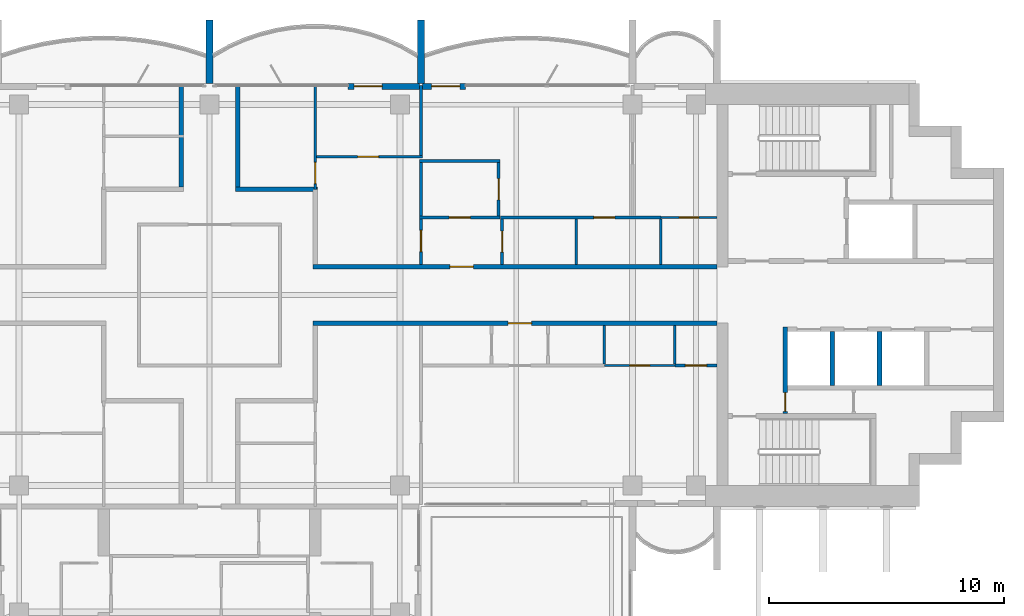
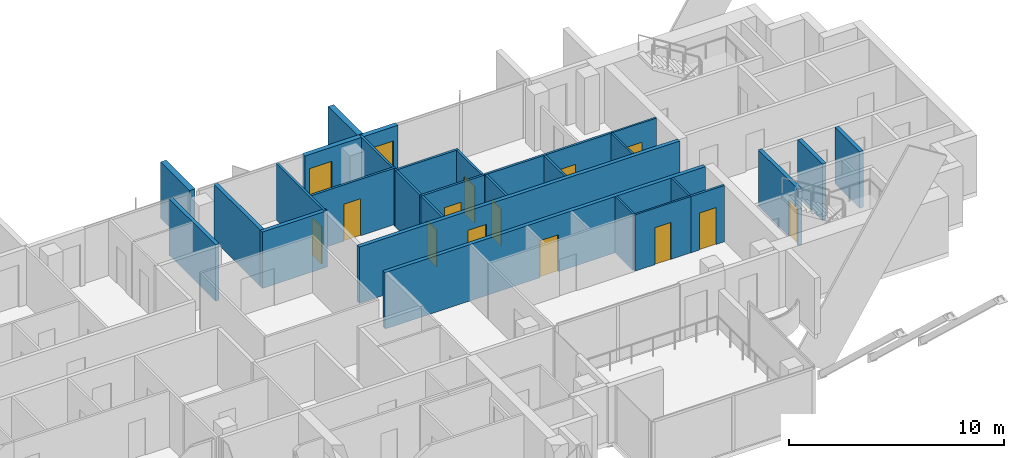
# One storey, part 12 of 18: 28 walls, 15 doors, 15 openings.
"""IFC4 building model written with IfcOpenShell, lengths in metres."""

import ifcopenshell
import ifcopenshell.guid

model = None  # the IFC model being written
_history = None  # IfcOwnerHistory: only IFC2X3 demands one
_inside = {}  # id of a spatial element -> (the spatial element, [elements in it])
_under = {}  # id of a project, library or spatial element -> (it, [spatial elements below it])
_declared = {}  # id of a project -> (the project, [libraries it declares])
_typed = {}  # id of a type object -> (the type object, [elements of that type])
_made_of = {}  # id of a material, layer set ... -> (it, [elements and type objects made of it])


def new_model(schema):
    """Start an empty IFC model of exactly this schema.

    Asked for "IFC4X3", IfcOpenShell would pick the latest addendum, in which some entities
    have other attributes; the version numbers below select the first issue.
    IFC2X3 requires an IfcOwnerHistory on every rooted entity: one is made here for all.
    """
    global model, _history
    if schema == "IFC4X3":
        model = ifcopenshell.file(schema_version=(4, 3, 0, 0))
    else:
        model = ifcopenshell.file(schema=schema)
    _inside.clear()
    _under.clear()
    _declared.clear()
    _typed.clear()
    _made_of.clear()
    _history = None
    if model.schema == "IFC2X3":
        org = make("IfcOrganization", Name="unknown")
        user = make(
            "IfcPersonAndOrganization",
            ThePerson=make("IfcPerson", FamilyName="unknown"),
            TheOrganization=org,
        )
        app = make(
            "IfcApplication",
            ApplicationDeveloper=org,
            Version="unknown",
            ApplicationFullName="unknown",
            ApplicationIdentifier="unknown",
        )
        _history = make(
            "IfcOwnerHistory",
            OwningUser=user,
            OwningApplication=app,
            ChangeAction="ADDED",
            CreationDate=0,
        )
    return model


def make(cls, **values):
    """One entity of the class cls with the attributes given. An attribute that is None is left unset."""
    return model.create_entity(
        cls, **{name: value for name, value in values.items() if value is not None}
    )


def rooted(cls, **values):
    """An entity with a GlobalId (a new one), such as an element, a storey or a relation."""
    return make(cls, GlobalId=ifcopenshell.guid.new(), OwnerHistory=_history, **values)


def si_unit(unit_type, name, prefix=None):
    """IfcSIUnit, for example si_unit("LENGTHUNIT", "METRE", prefix="MILLI")."""
    return make("IfcSIUnit", UnitType=unit_type, Prefix=prefix, Name=name)


def assignment(units):
    """IfcUnitAssignment: the units of a project."""
    return None if units is None else make("IfcUnitAssignment", Units=units)


def point(xyz):
    """IfcCartesianPoint."""
    return None if xyz is None else make("IfcCartesianPoint", Coordinates=xyz)


def direction(xyz):
    """IfcDirection."""
    return None if xyz is None else make("IfcDirection", DirectionRatios=xyz)


def frame(location, z_axis=None, x_axis=None):
    """IfcAxis2Placement3D, a coordinate frame: its origin and axes. An axis left out is left unset."""
    return make(
        "IfcAxis2Placement3D",
        Location=point(location),
        Axis=direction(z_axis),
        RefDirection=direction(x_axis),
    )


def frame_2d(location, x_axis=None):
    """IfcAxis2Placement2D, a coordinate frame in the plane: its origin and x axis."""
    return make(
        "IfcAxis2Placement2D", Location=point(location), RefDirection=direction(x_axis)
    )


def origin():
    """The frame at (0, 0, 0) with its axes left unset."""
    return frame((0.0, 0.0, 0.0))


def place(relative_to, where):
    """IfcLocalPlacement: puts the frame where relative to a parent placement (None: the world)."""
    return make(
        "IfcLocalPlacement", PlacementRelTo=relative_to, RelativePlacement=where
    )


def context(
    kind, dimensions, precision=None, world=None, true_north=None, identifier=None
):
    """IfcGeometricRepresentationContext, for example the 3D "Model" context."""
    return make(
        "IfcGeometricRepresentationContext",
        ContextIdentifier=identifier,
        ContextType=kind,
        CoordinateSpaceDimension=dimensions,
        Precision=precision,
        WorldCoordinateSystem=world,
        TrueNorth=true_north,
    )


def subcontext(parent, identifier, kind, view, scale=None):
    """IfcGeometricRepresentationSubContext, for example "Body" below "Model"."""
    return make(
        "IfcGeometricRepresentationSubContext",
        ContextIdentifier=identifier,
        ContextType=kind,
        ParentContext=parent,
        TargetScale=scale,
        TargetView=view,
    )


def project(units=None, contexts=None):
    """IfcProject with its units and contexts."""
    return rooted(
        "IfcProject",
        Name="project",
        RepresentationContexts=contexts,
        UnitsInContext=assignment(units),
    )


def spatial(cls, under=None, at=None, **own):
    """A site, building, storey or space (cls), placed at a placement, below another one or the project."""
    s = rooted(cls, ObjectPlacement=at, **own)
    if under is not None:
        _under.setdefault(under.id(), (under, []))[1].append(s)
    return s


def profile(cls, at=None, kind="AREA", **sizes):
    """A parametric profile (cls). Its sizes go by their IFC names, for example OverallWidth=200.0."""
    return make(cls, ProfileType=kind, Position=at, **sizes)


def rectangle(**sizes):
    """IfcRectangleProfileDef."""
    return profile("IfcRectangleProfileDef", **sizes)


def extrude(swept, where, along, depth):
    """IfcExtrudedAreaSolid: the profile swept, set in the frame where, extruded along a direction by depth."""
    return make(
        "IfcExtrudedAreaSolid",
        SweptArea=swept,
        Position=where,
        ExtrudedDirection=direction(along),
        Depth=depth,
    )


def shape(context_of_items, identifier, shape_type, items):
    """IfcShapeRepresentation: the items that make up one representation, for example the "Body"."""
    return make(
        "IfcShapeRepresentation",
        ContextOfItems=context_of_items,
        RepresentationIdentifier=identifier,
        RepresentationType=shape_type,
        Items=items,
    )


def material(Name=None, Category=None):
    """IfcMaterial."""
    return make("IfcMaterial", Name=Name, Category=Category)


def layer(
    of_material, thickness, ventilated=None, Name=None, Category=None, Priority=None
):
    """IfcMaterialLayer: one layer of a wall or slab, of a material (None: an air gap)."""
    return make(
        "IfcMaterialLayer",
        Material=of_material,
        LayerThickness=thickness,
        IsVentilated=ventilated,
        Name=Name,
        Category=Category,
        Priority=Priority,
    )


def layer_set(layers, Name=None):
    """IfcMaterialLayerSet."""
    return make("IfcMaterialLayerSet", MaterialLayers=layers, LayerSetName=Name)


def made_of(thing, what):
    """Note that an element or type object is made of a material, layer set ...; save() writes the relation."""
    if what is not None:
        _made_of.setdefault(what.id(), (what, []))[1].append(thing)
    return thing


def type_object(cls, material=None, **own):
    """A type object (cls), such as IfcWallType, which elements share."""
    return made_of(rooted(cls, **own), material)


def element(
    cls,
    number,
    at=None,
    inside=None,
    cuts=None,
    type_object=None,
    material=None,
    context=None,
    identifier="Body",
    shape_type=None,
    held_by="IfcProductDefinitionShape",
    body=None,
    shapes=None,
    **own,
):
    """One element of the class cls, such as IfcWall. Its Tag is "e" and its number.

    at: its placement. inside: the storey or other place that contains it. cuts: it is an
    opening in that element (IfcRelVoidsElement). A single representation is given by context,
    identifier, shape_type and body (its items); several are given by shapes. held_by: the class
    of the entity that holds the representations. save() writes the other relations.
    """
    e = rooted(cls, Tag="e%d" % number, ObjectPlacement=at, **own)
    if body is not None:
        shapes = [shape(context, identifier, shape_type, body)]
    if shapes is not None:
        e.Representation = make(held_by, Representations=shapes)
    if inside is not None:
        _inside.setdefault(inside.id(), (inside, []))[1].append(e)
    if cuts is not None:
        rooted(
            "IfcRelVoidsElement", RelatingBuildingElement=cuts, RelatedOpeningElement=e
        )
    if type_object is not None:
        _typed.setdefault(type_object.id(), (type_object, []))[1].append(e)
    return made_of(e, material)


def fill(opening, filler):
    """IfcRelFillsElement: the door or window that sits in an opening."""
    return rooted(
        "IfcRelFillsElement",
        RelatingOpeningElement=opening,
        RelatedBuildingElement=filler,
    )


def aggregate(whole, parts):
    """IfcRelAggregates: a whole, such as a stair, and the parts it consists of."""
    return rooted("IfcRelAggregates", RelatingObject=whole, RelatedObjects=parts)


def save(model, path):
    """Write the relations noted so far, then the file.

    IfcRelAggregates (storeys below a building ...), IfcRelContainedInSpatialStructure (elements
    in a storey), IfcRelDefinesByType, IfcRelAssociatesMaterial and IfcRelDeclares: one each for
    every whole, place, type object, material and project.
    """
    for whole, parts in _under.values():
        aggregate(whole, parts)
    for where, things in _inside.values():
        rooted(
            "IfcRelContainedInSpatialStructure",
            RelatedElements=things,
            RelatingStructure=where,
        )
    for kind, things in _typed.values():
        rooted("IfcRelDefinesByType", RelatedObjects=things, RelatingType=kind)
    for what, things in _made_of.values():
        rooted("IfcRelAssociatesMaterial", RelatedObjects=things, RelatingMaterial=what)
    for by, libraries in _declared.values():
        rooted("IfcRelDeclares", RelatingContext=by, RelatedDefinitions=libraries)
    model.write(path)


model = new_model("IFC4")

# Units and contexts
model_context = context("Model", 3, precision=1e-05, world=origin(), true_north=direction((0.0, 1.0)))
body_context = subcontext(model_context, "Body", "Model", "MODEL_VIEW")
ifc_project = project(units=[si_unit("LENGTHUNIT", "METRE"), si_unit("AREAUNIT", "SQUARE_METRE"), si_unit("VOLUMEUNIT", "CUBIC_METRE"), si_unit("PLANEANGLEUNIT", "RADIAN"), si_unit("MASSUNIT", "GRAM", prefix="KILO")], contexts=[model_context])

# Site, building, storey
site_placement = place(None, origin())
site = spatial("IfcSite", under=ifc_project, at=site_placement, CompositionType="ELEMENT")
building_placement = place(site_placement, origin())
building = spatial("IfcBuilding", under=site, at=building_placement, Name="Perihelion Cross Residences", CompositionType="ELEMENT")
storey_placement = place(building_placement, frame((0.0, 0.0, 281.5)))
storey = spatial("IfcBuildingStorey", under=building, at=storey_placement, Name="L72", CompositionType="ELEMENT", Elevation=281.5)

# Wall, opening, door
ifc_material_1 = material(Name="Plasterboard partition")
ifc_layer_1 = layer(ifc_material_1, 0.199951171875)
ifc_layer_set_1 = layer_set([ifc_layer_1], Name="Apartment separation wall 200")
wall_type_1 = type_object("IfcWallType", Name="Apartment separation wall 200", PredefinedType="PARTITIONING", material=ifc_layer_set_1)
wall_1_placement = place(storey_placement, frame((4.39990234375, 1.199951171875, 0.0), z_axis=(0.0, 0.0, 1.0), x_axis=(1.0, 0.0, 0.0)))
wall_1 = element("IfcWall", 1, at=wall_1_placement, inside=storey, type_object=wall_type_1, Name="Partition L72 W005", PredefinedType="PARTITIONING", context=body_context, shape_type="SweptSolid", body=[
    extrude(rectangle(XDim=17.2001953125, YDim=0.199951171875, at=frame_2d((8.60009765625, 0.0))), origin(), (0.0, 0.0, 1.0), 3.199951171875),
])
opening_1_placement = place(wall_1_placement, frame((5.824951171875, 0.0, 0.0)))
opening_1 = element("IfcOpeningElement", 2, at=opening_1_placement, cuts=wall_1, Name="Opening L72.A42", PredefinedType="OPENING", context=body_context, shape_type="SweptSolid", body=[
    extrude(rectangle(XDim=1.0, YDim=2.10009765625, at=frame_2d((0.5, 1.050048828125))), frame((0.0, 0.10986328125, 0.0), z_axis=(0.0, -1.0, 0.0), x_axis=(1.0, 0.0, 0.0)), (0.0, 0.0, 1.0), 0.219970703125),
])
ifc_material_2 = material(Name="Timber door leaf", Category="wood")
door_type_1 = type_object("IfcDoorType", Name="Flat entrance door 1000 x 2100", OperationType="SINGLE_SWING_LEFT", PredefinedType="DOOR", material=ifc_material_2)
door_1_placement = place(opening_1_placement, origin())
door_1 = element("IfcDoor", 3, at=door_1_placement, inside=storey, type_object=door_type_1, Name="Door L72.A42", OperationType="SINGLE_SWING_LEFT", OverallHeight=2.10009765625, OverallWidth=1.0, PredefinedType="DOOR", context=body_context, shape_type="SweptSolid", body=[
    extrude(rectangle(XDim=1.0, YDim=2.10009765625, at=frame_2d((0.5, 1.050048828125))), frame((0.0, 0.02490234375, 0.0), z_axis=(0.0, -1.0, 0.0), x_axis=(1.0, 0.0, 0.0)), (0.0, 0.0, 1.0), 0.050048828125),
])
fill(opening_1, door_1)

# Walls
wall_2_placement = place(storey_placement, frame((1.199951171875, 8.919921875, 0.0), z_axis=(0.0, 0.0, 1.0), x_axis=(0.0, -1.0, 0.0)))
element("IfcWall", 4, at=wall_2_placement, inside=storey, type_object=wall_type_1, Name="Partition L72 W007", PredefinedType="PARTITIONING", context=body_context, shape_type="SweptSolid", body=[
    extrude(rectangle(XDim=4.31982421875, YDim=0.199951171875, at=frame_2d((2.159912109375, 0.0))), origin(), (0.0, 0.0, 1.0), 3.199951171875),
])
wall_3_placement = place(storey_placement, frame((1.10009765625, 4.5, 0.0), z_axis=(0.0, 0.0, 1.0), x_axis=(1.0, 0.0, 0.0)))
element("IfcWall", 5, at=wall_3_placement, inside=storey, type_object=wall_type_1, Name="Partition L72 W008", PredefinedType="PARTITIONING", context=body_context, shape_type="SweptSolid", body=[
    extrude(rectangle(XDim=3.5, YDim=0.199951171875, at=frame_2d((1.75, 0.0))), origin(), (0.0, 0.0, 1.0), 3.199951171875),
])

# Wall, opening, door
wall_4_placement = place(storey_placement, frame((21.60009765625, -1.199951171875, 0.0), z_axis=(0.0, 0.0, 1.0), x_axis=(-1.0, 0.0, 0.0)))
wall_4 = element("IfcWall", 6, at=wall_4_placement, inside=storey, type_object=wall_type_1, Name="Partition L72 W009", PredefinedType="PARTITIONING", context=body_context, shape_type="SweptSolid", body=[
    extrude(rectangle(XDim=17.2001953125, YDim=0.199951171875, at=frame_2d((8.60009765625, 0.0))), origin(), (0.0, 0.0, 1.0), 3.199951171875),
])
opening_2_placement = place(wall_4_placement, frame((7.89990234375, 0.0, 0.0)))
opening_2 = element("IfcOpeningElement", 7, at=opening_2_placement, cuts=wall_4, Name="Opening L72.A43", PredefinedType="OPENING", context=body_context, shape_type="SweptSolid", body=[
    extrude(rectangle(XDim=1.0, YDim=2.10009765625, at=frame_2d((0.5, 1.050048828125))), frame((0.0, 0.10986328125, 0.0), z_axis=(0.0, -1.0, 0.0), x_axis=(1.0, 0.0, 0.0)), (0.0, 0.0, 1.0), 0.219970703125),
])
door_2_placement = place(opening_2_placement, origin())
door_2 = element("IfcDoor", 8, at=door_2_placement, inside=storey, type_object=door_type_1, Name="Door L72.A43", OperationType="SINGLE_SWING_LEFT", OverallHeight=2.10009765625, OverallWidth=1.0, PredefinedType="DOOR", context=body_context, shape_type="SweptSolid", body=[
    extrude(rectangle(XDim=1.0, YDim=2.10009765625, at=frame_2d((0.5, 1.050048828125))), frame((0.0, 0.02490234375, 0.0), z_axis=(0.0, -1.0, 0.0), x_axis=(1.0, 0.0, 0.0)), (0.0, 0.0, 1.0), 0.050048828125),
])
fill(opening_2, door_2)

# Wall
wall_5_placement = place(storey_placement, frame((-1.199951171875, 4.60009765625, 0.0), z_axis=(0.0, 0.0, 1.0), x_axis=(0.0, 1.0, 0.0)))
element("IfcWall", 9, at=wall_5_placement, inside=storey, type_object=wall_type_1, Name="Partition L72 W016", PredefinedType="PARTITIONING", context=body_context, shape_type="SweptSolid", body=[
    extrude(rectangle(XDim=4.31982421875, YDim=0.199951171875, at=frame_2d((2.159912109375, 0.0))), origin(), (0.0, 0.0, 1.0), 3.199951171875),
])

# Wall, opening, door
ifc_material_3 = material(Name="Concrete C30/37, bronze-clad", Category="concrete")
ifc_layer_2 = layer(ifc_material_3, 0.25)
ifc_layer_set_2 = layer_set([ifc_layer_2], Name="Bronze-clad pier wall 250")
wall_type_2 = type_object("IfcWallType", Name="Bronze-clad pier wall 250", PredefinedType="SOLIDWALL", material=ifc_layer_set_2)
wall_6_placement = place(storey_placement, frame((10.89990234375, 8.875, 0.0), z_axis=(0.0, 0.0, 1.0), x_axis=(-1.0, 0.0, 0.0)))
wall_6 = element("IfcWall", 10, at=wall_6_placement, inside=storey, type_object=wall_type_2, Name="Wall FW1 L72 east side north bay 2 pier", PredefinedType="SOLIDWALL", context=body_context, shape_type="SweptSolid", body=[
    extrude(rectangle(XDim=1.83984375, YDim=0.25, at=frame_2d((0.919921875, 0.0))), origin(), (0.0, 0.0, 1.0), 3.199951171875),
])
opening_3_placement = place(wall_6_placement, frame((0.25, 0.0, 0.0)))
opening_3 = element("IfcOpeningElement", 11, at=opening_3_placement, cuts=wall_6, Name="Opening L72.E02", PredefinedType="OPENING", context=body_context, shape_type="SweptSolid", body=[
    extrude(rectangle(XDim=1.199951171875, YDim=2.39990234375, at=frame_2d((0.60009765625, 1.199951171875))), frame((0.0, 0.135009765625, 0.0), z_axis=(0.0, -1.0, 0.0), x_axis=(1.0, 0.0, 0.0)), (0.0, 0.0, 1.0), 0.27001953125),
])
ifc_material_4 = material(Name="Bronze anodised aluminium, glazed", Category="aluminium")
door_type_2 = type_object("IfcDoorType", Name="Balcony door 1200 x 2400", OperationType="NOTDEFINED", PredefinedType="DOOR", material=ifc_material_4)
door_3_placement = place(opening_3_placement, origin())
door_3 = element("IfcDoor", 12, at=door_3_placement, inside=storey, type_object=door_type_2, Name="Door L72.E02 east side north bay 2", OperationType="SINGLE_SWING_RIGHT", OverallHeight=2.39990234375, OverallWidth=1.199951171875, PredefinedType="DOOR", context=body_context, shape_type="SweptSolid", body=[
    extrude(rectangle(XDim=1.199951171875, YDim=2.39990234375, at=frame_2d((0.60009765625, 1.199951171875))), frame((0.0, 0.02490234375, 0.0), z_axis=(0.0, -1.0, 0.0), x_axis=(1.0, 0.0, 0.0)), (0.0, 0.0, 1.0), 0.050048828125),
])
fill(opening_3, door_3)

wall_7_placement = place(storey_placement, frame((8.93994140625, 8.875, 0.0), z_axis=(0.0, 0.0, 1.0), x_axis=(-1.0, 0.0, 0.0)))
wall_7 = element("IfcWall", 13, at=wall_7_placement, inside=storey, type_object=wall_type_2, Name="Wall FW1 L72 north side east bay 1 pier", PredefinedType="SOLIDWALL", context=body_context, shape_type="SweptSolid", body=[
    extrude(rectangle(XDim=3.0400390625, YDim=0.25, at=frame_2d((1.52001953125, 0.0))), origin(), (0.0, 0.0, 1.0), 3.199951171875),
])
opening_4_placement = place(wall_7_placement, frame((1.590087890625, 0.0, 0.0)))
opening_4 = element("IfcOpeningElement", 14, at=opening_4_placement, cuts=wall_7, Name="Opening L72.E03", PredefinedType="OPENING", context=body_context, shape_type="SweptSolid", body=[
    extrude(rectangle(XDim=1.199951171875, YDim=2.39990234375, at=frame_2d((0.60009765625, 1.199951171875))), frame((0.0, 0.135009765625, 0.0), z_axis=(0.0, -1.0, 0.0), x_axis=(1.0, 0.0, 0.0)), (0.0, 0.0, 1.0), 0.27001953125),
])
door_4_placement = place(opening_4_placement, origin())
door_4 = element("IfcDoor", 15, at=door_4_placement, inside=storey, type_object=door_type_2, Name="Door L72.E03 north side east bay 1", OperationType="SINGLE_SWING_LEFT", OverallHeight=2.39990234375, OverallWidth=1.199951171875, PredefinedType="DOOR", context=body_context, shape_type="SweptSolid", body=[
    extrude(rectangle(XDim=1.199951171875, YDim=2.39990234375, at=frame_2d((0.60009765625, 1.199951171875))), frame((0.0, 0.02490234375, 0.0), z_axis=(0.0, -1.0, 0.0), x_axis=(1.0, 0.0, 0.0)), (0.0, 0.0, 1.0), 0.050048828125),
])
fill(opening_4, door_4)

ifc_material_5 = material(Name="Concrete C50/60", Category="concrete")
ifc_layer_3 = layer(ifc_material_5, 0.199951171875)
ifc_layer_set_3 = layer_set([ifc_layer_3], Name="Lobby wall 200")
wall_type_3 = type_object("IfcWallType", Name="Lobby wall 200", PredefinedType="SOLIDWALL", material=ifc_layer_set_3)
wall_8_placement = place(storey_placement, frame((24.5, -5.050048828125, 0.0), z_axis=(0.0, 0.0, 1.0), x_axis=(0.0, 1.0, 0.0)))
wall_8 = element("IfcWall", 16, at=wall_8_placement, inside=storey, type_object=wall_type_3, Name="East core lobby wall", PredefinedType="SOLIDWALL", context=body_context, shape_type="SweptSolid", body=[
    extrude(rectangle(XDim=3.699951171875, YDim=0.199951171875, at=frame_2d((1.85009765625, 0.0))), origin(), (0.0, 0.0, 1.0), 3.199951171875),
])
opening_5_placement = place(wall_8_placement, frame((0.10009765625, 0.0, 0.0)))
opening_5 = element("IfcOpeningElement", 17, at=opening_5_placement, cuts=wall_8, Name="Opening L72.C08", PredefinedType="OPENING", context=body_context, shape_type="SweptSolid", body=[
    extrude(rectangle(XDim=0.800048828125, YDim=2.10009765625, at=frame_2d((0.39990234375, 1.050048828125))), frame((0.0, 0.10986328125, 0.0), z_axis=(0.0, -1.0, 0.0), x_axis=(1.0, 0.0, 0.0)), (0.0, 0.0, 1.0), 0.219970703125),
])
ifc_material_6 = material(Name="Steel, powder coated", Category="steel")
door_type_3 = type_object("IfcDoorType", Name="Riser door 800", OperationType="SINGLE_SWING_LEFT", PredefinedType="DOOR", material=ifc_material_6)
door_5_placement = place(opening_5_placement, origin())
door_5 = element("IfcDoor", 18, at=door_5_placement, inside=storey, type_object=door_type_3, Name="East core riser door", OperationType="SINGLE_SWING_LEFT", OverallHeight=2.10009765625, OverallWidth=0.800048828125, PredefinedType="DOOR", context=body_context, shape_type="SweptSolid", body=[
    extrude(rectangle(XDim=0.800048828125, YDim=2.10009765625, at=frame_2d((0.39990234375, 1.050048828125))), frame((0.0, 0.02490234375, 0.0), z_axis=(0.0, -1.0, 0.0), x_axis=(1.0, 0.0, 0.0)), (0.0, 0.0, 1.0), 0.050048828125),
])
fill(opening_5, door_5)

ifc_material_7 = material(Name="Plasterboard partition")
ifc_layer_4 = layer(ifc_material_7, 0.1201171875)
ifc_layer_set_4 = layer_set([ifc_layer_4], Name="Partition wall 120")
wall_type_4 = type_object("IfcWallType", Name="Partition wall 120", PredefinedType="PARTITIONING", material=ifc_layer_set_4)
wall_9_placement = place(storey_placement, frame((12.449951171875, 3.239990234375, 0.0), z_axis=(0.0, 0.0, 1.0), x_axis=(0.0, -1.0, 0.0)))
wall_9 = element("IfcWall", 19, at=wall_9_placement, inside=storey, type_object=wall_type_4, Name="Partition L72 W022", PredefinedType="PARTITIONING", context=body_context, shape_type="SweptSolid", body=[
    extrude(rectangle(XDim=1.93994140625, YDim=0.1201171875, at=frame_2d((0.969970703125, 0.0))), origin(), (0.0, 0.0, 1.0), 3.199951171875),
])
opening_6_placement = place(wall_9_placement, frame((0.52001953125, 0.0, 0.0)))
opening_6 = element("IfcOpeningElement", 20, at=opening_6_placement, cuts=wall_9, Name="Opening L72.A09", PredefinedType="OPENING", context=body_context, shape_type="SweptSolid", body=[
    extrude(rectangle(XDim=0.89990234375, YDim=2.10009765625, at=frame_2d((0.449951171875, 1.050048828125))), frame((0.0, 0.070068359375, 0.0), z_axis=(0.0, -1.0, 0.0), x_axis=(1.0, 0.0, 0.0)), (0.0, 0.0, 1.0), 0.14013671875),
])
ifc_material_8 = material(Name="Timber door leaf", Category="wood")
door_type_4 = type_object("IfcDoorType", Name="Interior room door 900 x 2100", OperationType="SINGLE_SWING_LEFT", PredefinedType="DOOR", material=ifc_material_8)
door_6_placement = place(opening_6_placement, origin())
door_6 = element("IfcDoor", 21, at=door_6_placement, inside=storey, type_object=door_type_4, Name="Door L72.A09", OperationType="SINGLE_SWING_RIGHT", OverallHeight=2.10009765625, OverallWidth=0.89990234375, PredefinedType="DOOR", context=body_context, shape_type="SweptSolid", body=[
    extrude(rectangle(XDim=0.89990234375, YDim=2.10009765625, at=frame_2d((0.449951171875, 1.050048828125))), frame((0.0, 0.02490234375, 0.0), z_axis=(0.0, -1.0, 0.0), x_axis=(1.0, 0.0, 0.0)), (0.0, 0.0, 1.0), 0.050048828125),
])
fill(opening_6, door_6)

wall_10_placement = place(storey_placement, frame((8.93994140625, 3.300048828125, 0.0), z_axis=(0.0, 0.0, 1.0), x_axis=(1.0, 0.0, 0.0)))
wall_10 = element("IfcWall", 22, at=wall_10_placement, inside=storey, type_object=wall_type_4, Name="Partition L72 W023", PredefinedType="PARTITIONING", context=body_context, shape_type="SweptSolid", body=[
    extrude(rectangle(XDim=3.420166015625, YDim=0.1201171875, at=frame_2d((1.7099609375, 0.0))), origin(), (0.0, 0.0, 1.0), 3.199951171875),
])
opening_7_placement = place(wall_10_placement, frame((1.260009765625, 0.0, 0.0)))
opening_7 = element("IfcOpeningElement", 23, at=opening_7_placement, cuts=wall_10, Name="Opening L72.A10", PredefinedType="OPENING", context=body_context, shape_type="SweptSolid", body=[
    extrude(rectangle(XDim=0.89990234375, YDim=2.10009765625, at=frame_2d((0.449951171875, 1.050048828125))), frame((0.0, 0.070068359375, 0.0), z_axis=(0.0, -1.0, 0.0), x_axis=(1.0, 0.0, 0.0)), (0.0, 0.0, 1.0), 0.14013671875),
])
door_7_placement = place(opening_7_placement, origin())
door_7 = element("IfcDoor", 24, at=door_7_placement, inside=storey, type_object=door_type_4, Name="Door L72.A10", OperationType="SINGLE_SWING_RIGHT", OverallHeight=2.10009765625, OverallWidth=0.89990234375, PredefinedType="DOOR", context=body_context, shape_type="SweptSolid", body=[
    extrude(rectangle(XDim=0.89990234375, YDim=2.10009765625, at=frame_2d((0.449951171875, 1.050048828125))), frame((0.0, 0.02490234375, 0.0), z_axis=(0.0, -1.0, 0.0), x_axis=(1.0, 0.0, 0.0)), (0.0, 0.0, 1.0), 0.050048828125),
])
fill(opening_7, door_7)

wall_11_placement = place(storey_placement, frame((9.0, 1.300048828125, 0.0), z_axis=(0.0, 0.0, 1.0), x_axis=(0.0, 1.0, 0.0)))
wall_11 = element("IfcWall", 25, at=wall_11_placement, inside=storey, type_object=wall_type_4, Name="Partition L72 W024", PredefinedType="PARTITIONING", context=body_context, shape_type="SweptSolid", body=[
    extrude(rectangle(XDim=4.33984375, YDim=0.1201171875, at=frame_2d((2.169921875, 0.0))), origin(), (0.0, 0.0, 1.0), 3.199951171875),
])
opening_8_placement = place(wall_11_placement, frame((0.550048828125, 0.0, 0.0)))
opening_8 = element("IfcOpeningElement", 26, at=opening_8_placement, cuts=wall_11, Name="Opening L72.A04", PredefinedType="OPENING", context=body_context, shape_type="SweptSolid", body=[
    extrude(rectangle(XDim=0.89990234375, YDim=2.10009765625, at=frame_2d((0.449951171875, 1.050048828125))), frame((0.0, 0.070068359375, 0.0), z_axis=(0.0, -1.0, 0.0), x_axis=(1.0, 0.0, 0.0)), (0.0, 0.0, 1.0), 0.14013671875),
])
door_8_placement = place(opening_8_placement, origin())
door_8 = element("IfcDoor", 27, at=door_8_placement, inside=storey, type_object=door_type_4, Name="Door L72.A04", OperationType="SINGLE_SWING_RIGHT", OverallHeight=2.10009765625, OverallWidth=0.89990234375, PredefinedType="DOOR", context=body_context, shape_type="SweptSolid", body=[
    extrude(rectangle(XDim=0.89990234375, YDim=2.10009765625, at=frame_2d((0.449951171875, 1.050048828125))), frame((0.0, 0.02490234375, 0.0), z_axis=(0.0, -1.0, 0.0), x_axis=(1.0, 0.0, 0.0)), (0.0, 0.0, 1.0), 0.050048828125),
])
fill(opening_8, door_8)

# Wall
wall_12_placement = place(storey_placement, frame((15.60009765625, 3.239990234375, 0.0), z_axis=(0.0, 0.0, 1.0), x_axis=(0.0, -1.0, 0.0)))
element("IfcWall", 28, at=wall_12_placement, inside=storey, type_object=wall_type_4, Name="Partition L72 W025", PredefinedType="PARTITIONING", context=body_context, shape_type="SweptSolid", body=[
    extrude(rectangle(XDim=1.93994140625, YDim=0.1201171875, at=frame_2d((0.969970703125, 0.0))), origin(), (0.0, 0.0, 1.0), 3.199951171875),
])

# Wall, opening, door
wall_13_placement = place(storey_placement, frame((12.389892578125, 3.300048828125, 0.0), z_axis=(0.0, 0.0, 1.0), x_axis=(1.0, 0.0, 0.0)))
wall_13 = element("IfcWall", 29, at=wall_13_placement, inside=storey, type_object=wall_type_4, Name="Partition L72 W026", PredefinedType="PARTITIONING", context=body_context, shape_type="SweptSolid", body=[
    extrude(rectangle(XDim=6.81005859375, YDim=0.1201171875, at=frame_2d((3.405029296875, 0.0))), origin(), (0.0, 0.0, 1.0), 3.199951171875),
])
opening_9_placement = place(wall_13_placement, frame((3.9599609375, 0.0, 0.0)))
opening_9 = element("IfcOpeningElement", 30, at=opening_9_placement, cuts=wall_13, Name="Opening L72.A05", PredefinedType="OPENING", context=body_context, shape_type="SweptSolid", body=[
    extrude(rectangle(XDim=0.89990234375, YDim=2.10009765625, at=frame_2d((0.449951171875, 1.050048828125))), frame((0.0, 0.070068359375, 0.0), z_axis=(0.0, -1.0, 0.0), x_axis=(1.0, 0.0, 0.0)), (0.0, 0.0, 1.0), 0.14013671875),
])
door_9_placement = place(opening_9_placement, origin())
door_9 = element("IfcDoor", 31, at=door_9_placement, inside=storey, type_object=door_type_4, Name="Door L72.A05", OperationType="SINGLE_SWING_RIGHT", OverallHeight=2.10009765625, OverallWidth=0.89990234375, PredefinedType="DOOR", context=body_context, shape_type="SweptSolid", body=[
    extrude(rectangle(XDim=0.89990234375, YDim=2.10009765625, at=frame_2d((0.449951171875, 1.050048828125))), frame((0.0, 0.02490234375, 0.0), z_axis=(0.0, -1.0, 0.0), x_axis=(1.0, 0.0, 0.0)), (0.0, 0.0, 1.0), 0.050048828125),
])
fill(opening_9, door_9)

wall_14_placement = place(storey_placement, frame((12.300048828125, 3.360107421875, 0.0), z_axis=(0.0, 0.0, 1.0), x_axis=(0.0, 1.0, 0.0)))
wall_14 = element("IfcWall", 32, at=wall_14_placement, inside=storey, type_object=wall_type_4, Name="Partition L72 W029", PredefinedType="PARTITIONING", context=body_context, shape_type="SweptSolid", body=[
    extrude(rectangle(XDim=2.27978515625, YDim=0.1201171875, at=frame_2d((1.139892578125, 0.0))), origin(), (0.0, 0.0, 1.0), 3.199951171875),
])
opening_10_placement = place(wall_14_placement, frame((0.68994140625, 0.0, 0.0)))
opening_10 = element("IfcOpeningElement", 33, at=opening_10_placement, cuts=wall_14, Name="Opening L72.A07", PredefinedType="OPENING", context=body_context, shape_type="SweptSolid", body=[
    extrude(rectangle(XDim=0.89990234375, YDim=2.10009765625, at=frame_2d((0.449951171875, 1.050048828125))), frame((0.0, 0.070068359375, 0.0), z_axis=(0.0, -1.0, 0.0), x_axis=(1.0, 0.0, 0.0)), (0.0, 0.0, 1.0), 0.14013671875),
])
door_10_placement = place(opening_10_placement, origin())
door_10 = element("IfcDoor", 34, at=door_10_placement, inside=storey, type_object=door_type_4, Name="Door L72.A07", OperationType="SINGLE_SWING_RIGHT", OverallHeight=2.10009765625, OverallWidth=0.89990234375, PredefinedType="DOOR", context=body_context, shape_type="SweptSolid", body=[
    extrude(rectangle(XDim=0.89990234375, YDim=2.10009765625, at=frame_2d((0.449951171875, 1.050048828125))), frame((0.0, 0.02490234375, 0.0), z_axis=(0.0, -1.0, 0.0), x_axis=(1.0, 0.0, 0.0)), (0.0, 0.0, 1.0), 0.050048828125),
])
fill(opening_10, door_10)

# Walls
wall_15_placement = place(storey_placement, frame((12.360107421875, 5.699951171875, 0.0), z_axis=(0.0, 0.0, 1.0), x_axis=(-1.0, 0.0, 0.0)))
element("IfcWall", 35, at=wall_15_placement, inside=storey, type_object=wall_type_4, Name="Partition L72 W030", PredefinedType="PARTITIONING", context=body_context, shape_type="SweptSolid", body=[
    extrude(rectangle(XDim=3.420166015625, YDim=0.1201171875, at=frame_2d((1.7099609375, 0.0))), origin(), (0.0, 0.0, 1.0), 3.199951171875),
])
wall_16_placement = place(storey_placement, frame((9.0, 5.93994140625, 0.0), z_axis=(0.0, 0.0, 1.0), x_axis=(0.0, 1.0, 0.0)))
element("IfcWall", 36, at=wall_16_placement, inside=storey, type_object=wall_type_4, Name="Partition L72 W032", PredefinedType="PARTITIONING", context=body_context, shape_type="SweptSolid", body=[
    extrude(rectangle(XDim=2.97998046875, YDim=0.1201171875, at=frame_2d((1.489990234375, 0.0))), origin(), (0.0, 0.0, 1.0), 3.199951171875),
])

# Wall, opening, door
wall_17_placement = place(storey_placement, frame((4.43994140625, 5.8798828125, 0.0), z_axis=(0.0, 0.0, 1.0), x_axis=(1.0, 0.0, 0.0)))
wall_17 = element("IfcWall", 37, at=wall_17_placement, inside=storey, type_object=wall_type_4, Name="Partition L72 W033", PredefinedType="PARTITIONING", context=body_context, shape_type="SweptSolid", body=[
    extrude(rectangle(XDim=4.6201171875, YDim=0.1201171875, at=frame_2d((2.31005859375, 0.0))), origin(), (0.0, 0.0, 1.0), 3.199951171875),
])
opening_11_placement = place(wall_17_placement, frame((1.860107421875, 0.0, 0.0)))
opening_11 = element("IfcOpeningElement", 38, at=opening_11_placement, cuts=wall_17, Name="Opening L72.A06", PredefinedType="OPENING", context=body_context, shape_type="SweptSolid", body=[
    extrude(rectangle(XDim=0.89990234375, YDim=2.10009765625, at=frame_2d((0.449951171875, 1.050048828125))), frame((0.0, 0.070068359375, 0.0), z_axis=(0.0, -1.0, 0.0), x_axis=(1.0, 0.0, 0.0)), (0.0, 0.0, 1.0), 0.14013671875),
])
door_11_placement = place(opening_11_placement, origin())
door_11 = element("IfcDoor", 39, at=door_11_placement, inside=storey, type_object=door_type_4, Name="Door L72.A06", OperationType="SINGLE_SWING_RIGHT", OverallHeight=2.10009765625, OverallWidth=0.89990234375, PredefinedType="DOOR", context=body_context, shape_type="SweptSolid", body=[
    extrude(rectangle(XDim=0.89990234375, YDim=2.10009765625, at=frame_2d((0.449951171875, 1.050048828125))), frame((0.0, 0.02490234375, 0.0), z_axis=(0.0, -1.0, 0.0), x_axis=(1.0, 0.0, 0.0)), (0.0, 0.0, 1.0), 0.050048828125),
])
fill(opening_11, door_11)

wall_18_placement = place(storey_placement, frame((4.5, 4.5, 0.0), z_axis=(0.0, 0.0, 1.0), x_axis=(0.0, 1.0, 0.0)))
wall_18 = element("IfcWall", 40, at=wall_18_placement, inside=storey, type_object=wall_type_4, Name="Partition L72 W034", PredefinedType="PARTITIONING", context=body_context, shape_type="SweptSolid", body=[
    extrude(rectangle(XDim=4.419921875, YDim=0.1201171875, at=frame_2d((2.2099609375, 0.0))), origin(), (0.0, 0.0, 1.0), 3.199951171875),
])
opening_12_placement = place(wall_18_placement, frame((0.239990234375, 0.0, 0.0)))
opening_12 = element("IfcOpeningElement", 41, at=opening_12_placement, cuts=wall_18, Name="Opening L72.A02", PredefinedType="OPENING", context=body_context, shape_type="SweptSolid", body=[
    extrude(rectangle(XDim=0.89990234375, YDim=2.10009765625, at=frame_2d((0.449951171875, 1.050048828125))), frame((0.0, 0.070068359375, 0.0), z_axis=(0.0, -1.0, 0.0), x_axis=(1.0, 0.0, 0.0)), (0.0, 0.0, 1.0), 0.14013671875),
])
door_12_placement = place(opening_12_placement, origin())
door_12 = element("IfcDoor", 42, at=door_12_placement, inside=storey, type_object=door_type_4, Name="Door L72.A02", OperationType="SINGLE_SWING_RIGHT", OverallHeight=2.10009765625, OverallWidth=0.89990234375, PredefinedType="DOOR", context=body_context, shape_type="SweptSolid", body=[
    extrude(rectangle(XDim=0.89990234375, YDim=2.10009765625, at=frame_2d((0.449951171875, 1.050048828125))), frame((0.0, 0.02490234375, 0.0), z_axis=(0.0, -1.0, 0.0), x_axis=(1.0, 0.0, 0.0)), (0.0, 0.0, 1.0), 0.050048828125),
])
fill(opening_12, door_12)

wall_19_placement = place(storey_placement, frame((21.60009765625, -3.0, 0.0), z_axis=(0.0, 0.0, 1.0), x_axis=(-1.0, 0.0, 0.0)))
wall_19 = element("IfcWall", 43, at=wall_19_placement, inside=storey, type_object=wall_type_4, Name="Partition L72 W042", PredefinedType="PARTITIONING", context=body_context, shape_type="SweptSolid", body=[
    extrude(rectangle(XDim=1.800048828125, YDim=0.1201171875, at=frame_2d((0.89990234375, 0.0))), origin(), (0.0, 0.0, 1.0), 3.199951171875),
])
opening_13_placement = place(wall_19_placement, frame((0.449951171875, 0.0, 0.0)))
opening_13 = element("IfcOpeningElement", 44, at=opening_13_placement, cuts=wall_19, Name="Opening L72.A13", PredefinedType="OPENING", context=body_context, shape_type="SweptSolid", body=[
    extrude(rectangle(XDim=0.89990234375, YDim=2.10009765625, at=frame_2d((0.449951171875, 1.050048828125))), frame((0.0, 0.070068359375, 0.0), z_axis=(0.0, -1.0, 0.0), x_axis=(1.0, 0.0, 0.0)), (0.0, 0.0, 1.0), 0.14013671875),
])
door_13_placement = place(opening_13_placement, origin())
door_13 = element("IfcDoor", 45, at=door_13_placement, inside=storey, type_object=door_type_4, Name="Door L72.A13", OperationType="SINGLE_SWING_RIGHT", OverallHeight=2.10009765625, OverallWidth=0.89990234375, PredefinedType="DOOR", context=body_context, shape_type="SweptSolid", body=[
    extrude(rectangle(XDim=0.89990234375, YDim=2.10009765625, at=frame_2d((0.449951171875, 1.050048828125))), frame((0.0, 0.02490234375, 0.0), z_axis=(0.0, -1.0, 0.0), x_axis=(1.0, 0.0, 0.0)), (0.0, 0.0, 1.0), 0.050048828125),
])
fill(opening_13, door_13)

# Walls
ifc_material_9 = material(Name="Precast concrete C50/60", Category="concrete")
ifc_layer_5 = layer(ifc_material_9, 0.300048828125)
ifc_layer_set_5 = layer_set([ifc_layer_5], Name="Precast concrete C50/60 blade wall 300")
wall_type_5 = type_object("IfcWallType", Name="Precast concrete C50/60 blade wall 300", PredefinedType="SOLIDWALL", material=ifc_layer_set_5)
for number, where, z_axis, x_axis, name in (
    (46, (0.0, 9.0, 0.0), (0.0, 0.0, 1.0), (0.0, 1.0, 0.0), "Wall BL1 L72 no. 9"),
    (47, (9.0, 9.0, 0.0), (0.0, 0.0, 1.0), (0.0, 1.0, 0.0), "Wall BL1 L72 no. 16"),
):
    element("IfcWall", number, at=place(storey_placement, frame(where, z_axis=z_axis, x_axis=x_axis)), inside=storey, type_object=wall_type_5, Name=name, PredefinedType="SOLIDWALL", context=body_context, shape_type="SweptSolid", body=[
        extrude(rectangle(XDim=2.699951171875, YDim=0.300048828125, at=frame_2d((1.35009765625, 0.0))), origin(), (0.0, 0.0, 1.0), 3.199951171875),
    ])
ifc_material_10 = material(Name="Concrete C50/60", Category="concrete")
ifc_layer_6 = layer(ifc_material_10, 0.199951171875)
ifc_layer_set_6 = layer_set([ifc_layer_6], Name="Shaft wall 200")
wall_type_6 = type_object("IfcWallType", Name="Shaft wall 200", PredefinedType="SOLIDWALL", material=ifc_layer_set_6)
for number, where, z_axis, x_axis, name in (
    (48, (26.5, -3.85009765625, 0.0), (0.0, 0.0, 1.0), (0.0, 1.0, 0.0), "East core shaft wall"),
    (49, (28.5, -3.85009765625, 0.0), (0.0, 0.0, 1.0), (0.0, 1.0, 0.0), "East core shaft wall"),
):
    element("IfcWall", number, at=place(storey_placement, frame(where, z_axis=z_axis, x_axis=x_axis)), inside=storey, type_object=wall_type_6, Name=name, PredefinedType="SOLIDWALL", context=body_context, shape_type="SweptSolid", body=[
        extrude(rectangle(XDim=2.300048828125, YDim=0.199951171875, at=frame_2d((1.14990234375, 0.0))), origin(), (0.0, 0.0, 1.0), 3.199951171875),
    ])
ifc_material_11 = material(Name="Plasterboard partition")
ifc_layer_7 = layer(ifc_material_11, 0.10009765625)
ifc_layer_set_7 = layer_set([ifc_layer_7], Name="Wet room wall 100")
wall_type_7 = type_object("IfcWallType", Name="Wet room wall 100", PredefinedType="PARTITIONING", material=ifc_layer_set_7)
wall_20_placement = place(storey_placement, frame((19.199951171875, 3.239990234375, 0.0), z_axis=(0.0, 0.0, 1.0), x_axis=(0.0, -1.0, 0.0)))
element("IfcWall", 50, at=wall_20_placement, inside=storey, type_object=wall_type_7, Name="Partition L72 W027", PredefinedType="PARTITIONING", context=body_context, shape_type="SweptSolid", body=[
    extrude(rectangle(XDim=1.93994140625, YDim=0.10009765625, at=frame_2d((0.969970703125, 0.0))), origin(), (0.0, 0.0, 1.0), 3.199951171875),
])

# Wall, opening, door
wall_21_placement = place(storey_placement, frame((19.199951171875, 3.300048828125, 0.0), z_axis=(0.0, 0.0, 1.0), x_axis=(1.0, 0.0, 0.0)))
wall_21 = element("IfcWall", 51, at=wall_21_placement, inside=storey, type_object=wall_type_7, Name="Partition L72 W028", PredefinedType="PARTITIONING", context=body_context, shape_type="SweptSolid", body=[
    extrude(rectangle(XDim=2.400146484375, YDim=0.10009765625, at=frame_2d((1.2001953125, 0.0))), origin(), (0.0, 0.0, 1.0), 3.199951171875),
])
opening_14_placement = place(wall_21_placement, frame((0.77490234375, 0.0, 0.0)))
opening_14 = element("IfcOpeningElement", 52, at=opening_14_placement, cuts=wall_21, Name="Opening L72.A03", PredefinedType="OPENING", context=body_context, shape_type="SweptSolid", body=[
    extrude(rectangle(XDim=0.85009765625, YDim=2.10009765625, at=frame_2d((0.425048828125, 1.050048828125))), frame((0.0, 0.06005859375, 0.0), z_axis=(0.0, -1.0, 0.0), x_axis=(1.0, 0.0, 0.0)), (0.0, 0.0, 1.0), 0.1201171875),
])
ifc_material_12 = material(Name="Timber door leaf", Category="wood")
door_type_5 = type_object("IfcDoorType", Name="Interior bathroom door 850 x 2100", OperationType="SINGLE_SWING_LEFT", PredefinedType="DOOR", material=ifc_material_12)
door_14_placement = place(opening_14_placement, origin())
door_14 = element("IfcDoor", 53, at=door_14_placement, inside=storey, type_object=door_type_5, Name="Door L72.A03", OperationType="SINGLE_SWING_RIGHT", OverallHeight=2.10009765625, OverallWidth=0.85009765625, PredefinedType="DOOR", context=body_context, shape_type="SweptSolid", body=[
    extrude(rectangle(XDim=0.85009765625, YDim=2.10009765625, at=frame_2d((0.425048828125, 1.050048828125))), frame((0.0, 0.02490234375, 0.0), z_axis=(0.0, -1.0, 0.0), x_axis=(1.0, 0.0, 0.0)), (0.0, 0.0, 1.0), 0.050048828125),
])
fill(opening_14, door_14)

# Walls
for number, where, z_axis, x_axis, name in (
    (54, (16.800048828125, -1.300048828125, 0.0), (0.0, 0.0, 1.0), (0.0, -1.0, 0.0), "Partition L72 W039"),
    (55, (19.800048828125, -1.300048828125, 0.0), (0.0, 0.0, 1.0), (0.0, -1.0, 0.0), "Partition L72 W040"),
):
    element("IfcWall", number, at=place(storey_placement, frame(where, z_axis=z_axis, x_axis=x_axis)), inside=storey, type_object=wall_type_7, Name=name, PredefinedType="PARTITIONING", context=body_context, shape_type="SweptSolid", body=[
        extrude(rectangle(XDim=1.639892578125, YDim=0.10009765625, at=frame_2d((0.81982421875, 0.0))), origin(), (0.0, 0.0, 1.0), 3.199951171875),
    ])

# Wall, opening, door
wall_22_placement = place(storey_placement, frame((19.800048828125, -3.0, 0.0), z_axis=(0.0, 0.0, 1.0), x_axis=(-1.0, 0.0, 0.0)))
wall_22 = element("IfcWall", 56, at=wall_22_placement, inside=storey, type_object=wall_type_7, Name="Partition L72 W041", PredefinedType="PARTITIONING", context=body_context, shape_type="SweptSolid", body=[
    extrude(rectangle(XDim=3.0, YDim=0.10009765625, at=frame_2d((1.5, 0.0))), origin(), (0.0, 0.0, 1.0), 3.199951171875),
])
opening_15_placement = place(wall_22_placement, frame((1.074951171875, 0.0, 0.0)))
opening_15 = element("IfcOpeningElement", 57, at=opening_15_placement, cuts=wall_22, Name="Opening L72.A11", PredefinedType="OPENING", context=body_context, shape_type="SweptSolid", body=[
    extrude(rectangle(XDim=0.85009765625, YDim=2.10009765625, at=frame_2d((0.425048828125, 1.050048828125))), frame((0.0, 0.06005859375, 0.0), z_axis=(0.0, -1.0, 0.0), x_axis=(1.0, 0.0, 0.0)), (0.0, 0.0, 1.0), 0.1201171875),
])
door_15_placement = place(opening_15_placement, origin())
door_15 = element("IfcDoor", 58, at=door_15_placement, inside=storey, type_object=door_type_5, Name="Door L72.A11", OperationType="SINGLE_SWING_RIGHT", OverallHeight=2.10009765625, OverallWidth=0.85009765625, PredefinedType="DOOR", context=body_context, shape_type="SweptSolid", body=[
    extrude(rectangle(XDim=0.85009765625, YDim=2.10009765625, at=frame_2d((0.425048828125, 1.050048828125))), frame((0.0, 0.02490234375, 0.0), z_axis=(0.0, -1.0, 0.0), x_axis=(1.0, 0.0, 0.0)), (0.0, 0.0, 1.0), 0.050048828125),
])
fill(opening_15, door_15)

save(model, "model.ifc")
